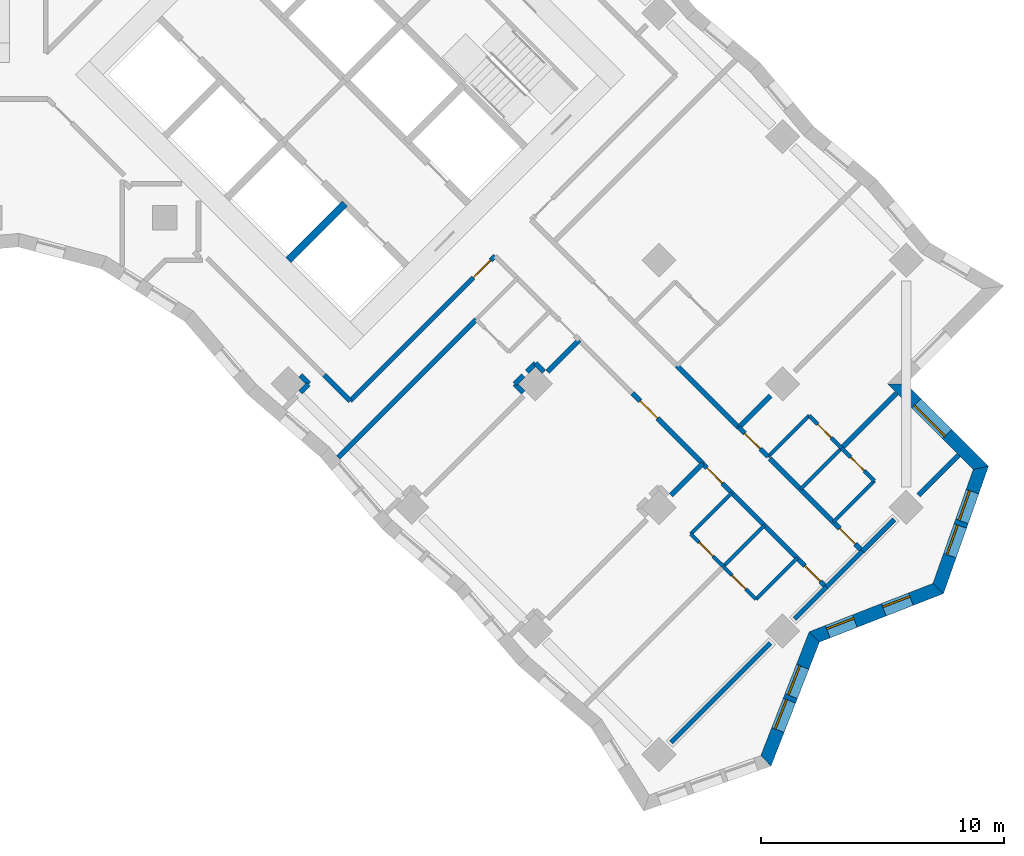
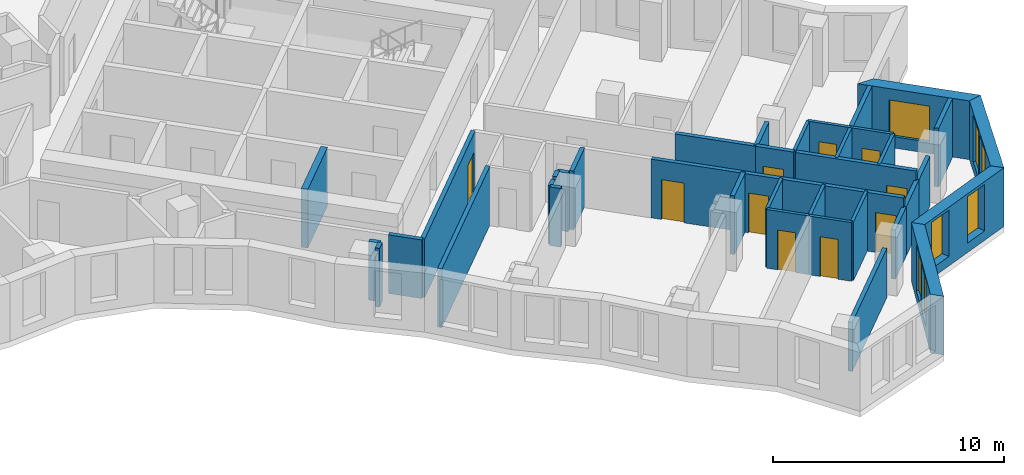
# One storey, part 8 of 12: 38 walls, 10 doors, 7 windows, 17 openings.
"""IFC4 building model written with IfcOpenShell, lengths in metres."""

from ifc_helpers import new_model, si_unit, direction, frame, frame_2d, origin, place, context, subcontext, project, spatial, polyline, rectangle, outline, extrude, material, layer, layer_set, type_object, element, fill, save


model = new_model("IFC4")

# Units and contexts
model_context = context("Model", 3, precision=1e-05, world=origin(), true_north=direction((0.0, 1.0)))
body_context = subcontext(model_context, "Body", "Model", "MODEL_VIEW")
ifc_project = project(units=[si_unit("LENGTHUNIT", "METRE"), si_unit("AREAUNIT", "SQUARE_METRE"), si_unit("VOLUMEUNIT", "CUBIC_METRE"), si_unit("PLANEANGLEUNIT", "RADIAN"), si_unit("MASSUNIT", "GRAM", prefix="KILO")], contexts=[model_context])

# Site, building, storey
site_placement = place(None, origin())
site = spatial("IfcSite", under=ifc_project, at=site_placement, CompositionType="ELEMENT")
building_placement = place(site_placement, origin())
building = spatial("IfcBuilding", under=site, at=building_placement, Name="Windrow Commons", CompositionType="ELEMENT")
storey_placement = place(building_placement, frame((0.0, 0.0, 81.2)))
storey = spatial("IfcBuildingStorey", under=building, at=storey_placement, Name="L21", CompositionType="ELEMENT", Elevation=81.2)

# Wall, openings, windows
ifc_material_1 = material(Name="Brick masonry, red clay brick", Category="masonry")
ifc_layer_1 = layer(ifc_material_1, 0.55)
ifc_layer_set_1 = layer_set([ifc_layer_1], Name="Brick facade wall 550")
wall_type_1 = type_object("IfcWallType", Name="Brick facade wall 550", PredefinedType="SOLIDWALL", material=ifc_layer_set_1)
wall_1_placement = place(storey_placement, frame((103.9683, 20.8284, 0.0), z_axis=(0.0, 0.0, 1.0), x_axis=(0.3641399428, 0.9313442446, 0.0)))
wall_1 = element("IfcWall", 1, at=wall_1_placement, inside=storey, type_object=wall_type_1, Name="Brick facade wall L21 2", PredefinedType="SOLIDWALL", context=body_context, shape_type="SweptSolid", body=[
    extrude(outline(polyline([(-0.1258, -0.275), (5.3596, -0.275), (5.6004, 0.275), (0.1258, 0.275), (-0.1258, -0.275)])), origin(), (0.0, 0.0, 1.0), 3.1),
])
opening_1_placement = place(wall_1_placement, frame((1.3612, 0.0, 0.5)))
opening_1 = element("IfcOpeningElement", 2, at=opening_1_placement, cuts=wall_1, Name="Opening W1P", PredefinedType="OPENING", context=body_context, shape_type="SweptSolid", body=[
    extrude(rectangle(XDim=1.3, YDim=2.45, at=frame_2d((0.65, 1.225))), frame((0.0, 0.285, 0.0), z_axis=(0.0, -1.0, 0.0), x_axis=(1.0, 0.0, 0.0)), (0.0, 0.0, 1.0), 0.57),
])
opening_2_placement = place(wall_1_placement, frame((2.8612, 0.0, 0.5)))
opening_2 = element("IfcOpeningElement", 3, at=opening_2_placement, cuts=wall_1, Name="Opening W1P", PredefinedType="OPENING", context=body_context, shape_type="SweptSolid", body=[
    extrude(rectangle(XDim=1.3, YDim=2.45, at=frame_2d((0.65, 1.225))), frame((0.0, 0.285, 0.0), z_axis=(0.0, -1.0, 0.0), x_axis=(1.0, 0.0, 0.0)), (0.0, 0.0, 1.0), 0.57),
])
ifc_material_2 = material(Name="Clear float glass in anodised aluminium frame", Category="aluminium")
window_type_1 = type_object("IfcWindowType", Name="Window W1P pair 1300x2450", PartitioningType="SINGLE_PANEL", PredefinedType="WINDOW", material=ifc_material_2)
window_1_placement = place(opening_1_placement, origin())
window_1 = element("IfcWindow", 4, at=window_1_placement, inside=storey, type_object=window_type_1, Name="Window L21 2.1A", OverallHeight=2.45, OverallWidth=1.3, PartitioningType="SINGLE_PANEL", PredefinedType="WINDOW", context=body_context, shape_type="SweptSolid", body=[
    extrude(rectangle(XDim=1.3, YDim=2.45, at=frame_2d((0.65, 1.225))), frame((0.0, 0.155, 0.0), z_axis=(0.0, -1.0, 0.0), x_axis=(1.0, 0.0, 0.0)), (0.0, 0.0, 1.0), 0.06),
])
fill(opening_1, window_1)
window_2_placement = place(opening_2_placement, origin())
window_2 = element("IfcWindow", 5, at=window_2_placement, inside=storey, type_object=window_type_1, Name="Window L21 2.1B", OverallHeight=2.45, OverallWidth=1.3, PartitioningType="SINGLE_PANEL", PredefinedType="WINDOW", context=body_context, shape_type="SweptSolid", body=[
    extrude(rectangle(XDim=1.3, YDim=2.45, at=frame_2d((0.65, 1.225))), frame((0.0, 0.155, 0.0), z_axis=(0.0, -1.0, 0.0), x_axis=(1.0, 0.0, 0.0)), (0.0, 0.0, 1.0), 0.06),
])
fill(opening_2, window_2)

wall_2_placement = place(storey_placement, frame((105.9638, 25.9322, 0.0), z_axis=(0.0, 0.0, 1.0), x_axis=(0.9313442446, 0.3641399428, 0.0)))
wall_2 = element("IfcWall", 6, at=wall_2_placement, inside=storey, type_object=wall_type_1, Name="Brick facade wall L21 3", PredefinedType="SOLIDWALL", context=body_context, shape_type="SweptSolid", body=[
    extrude(outline(polyline([(0.1204, -0.275), (5.6059, -0.275), (5.3542, 0.275), (-0.1204, 0.275), (0.1204, -0.275)])), origin(), (0.0, 0.0, 1.0), 3.1),
])
opening_3_placement = place(wall_2_placement, frame((0.5931, 0.0, 0.5)))
opening_3 = element("IfcOpeningElement", 7, at=opening_3_placement, cuts=wall_2, Name="Opening W7D", PredefinedType="OPENING", context=body_context, shape_type="SweptSolid", body=[
    extrude(rectangle(XDim=1.2, YDim=2.45, at=frame_2d((0.6, 1.225))), frame((0.0, 0.285, 0.0), z_axis=(0.0, -1.0, 0.0), x_axis=(1.0, 0.0, 0.0)), (0.0, 0.0, 1.0), 0.57),
])
opening_4_placement = place(wall_2_placement, frame((3.0702, 0.0, 0.5)))
opening_4 = element("IfcOpeningElement", 8, at=opening_4_placement, cuts=wall_2, Name="Opening W7D", PredefinedType="OPENING", context=body_context, shape_type="SweptSolid", body=[
    extrude(rectangle(XDim=1.2, YDim=2.45, at=frame_2d((0.6, 1.225))), frame((0.0, 0.285, 0.0), z_axis=(0.0, -1.0, 0.0), x_axis=(1.0, 0.0, 0.0)), (0.0, 0.0, 1.0), 0.57),
])
ifc_material_3 = material(Name="Clear float glass in anodised aluminium frame", Category="aluminium")
window_type_2 = type_object("IfcWindowType", Name="Window W7 notch 1200x2450", PartitioningType="SINGLE_PANEL", PredefinedType="WINDOW", material=ifc_material_3)
window_3_placement = place(opening_3_placement, origin())
window_3 = element("IfcWindow", 9, at=window_3_placement, inside=storey, type_object=window_type_2, Name="Window L21 3.1", OverallHeight=2.45, OverallWidth=1.2, PartitioningType="SINGLE_PANEL", PredefinedType="WINDOW", context=body_context, shape_type="SweptSolid", body=[
    extrude(rectangle(XDim=1.2, YDim=2.45, at=frame_2d((0.6, 1.225))), frame((0.0, 0.155, 0.0), z_axis=(0.0, -1.0, 0.0), x_axis=(1.0, 0.0, 0.0)), (0.0, 0.0, 1.0), 0.06),
])
fill(opening_3, window_3)
window_4_placement = place(opening_4_placement, origin())
window_4 = element("IfcWindow", 10, at=window_4_placement, inside=storey, type_object=window_type_2, Name="Window L21 3.2", OverallHeight=2.45, OverallWidth=1.2, PartitioningType="SINGLE_PANEL", PredefinedType="WINDOW", context=body_context, shape_type="SweptSolid", body=[
    extrude(rectangle(XDim=1.2, YDim=2.45, at=frame_2d((0.6, 1.225))), frame((0.0, 0.155, 0.0), z_axis=(0.0, -1.0, 0.0), x_axis=(1.0, 0.0, 0.0)), (0.0, 0.0, 1.0), 0.06),
])
fill(opening_4, window_4)

wall_3_placement = place(storey_placement, frame((111.0676, 27.9277, 0.0), z_axis=(0.0, 0.0, 1.0), x_axis=(0.3333124239, 0.9428164339, 0.0)))
wall_3 = element("IfcWall", 11, at=wall_3_placement, inside=storey, type_object=wall_type_1, Name="Brick facade wall L21 4", PredefinedType="SOLIDWALL", context=body_context, shape_type="SweptSolid", body=[
    extrude(outline(polyline([(-0.1258, -0.275), (5.4429, -0.275), (5.096, 0.275), (0.1258, 0.275), (-0.1258, -0.275)])), origin(), (0.0, 0.0, 1.0), 3.1),
])
opening_5_placement = place(wall_3_placement, frame((1.4343, 0.0, 0.5)))
opening_5 = element("IfcOpeningElement", 12, at=opening_5_placement, cuts=wall_3, Name="Opening W1P", PredefinedType="OPENING", context=body_context, shape_type="SweptSolid", body=[
    extrude(rectangle(XDim=1.3, YDim=2.45, at=frame_2d((0.65, 1.225))), frame((0.0, 0.285, 0.0), z_axis=(0.0, -1.0, 0.0), x_axis=(1.0, 0.0, 0.0)), (0.0, 0.0, 1.0), 0.57),
])
opening_6_placement = place(wall_3_placement, frame((2.9343, 0.0, 0.5)))
opening_6 = element("IfcOpeningElement", 13, at=opening_6_placement, cuts=wall_3, Name="Opening W1P", PredefinedType="OPENING", context=body_context, shape_type="SweptSolid", body=[
    extrude(rectangle(XDim=1.3, YDim=2.45, at=frame_2d((0.65, 1.225))), frame((0.0, 0.285, 0.0), z_axis=(0.0, -1.0, 0.0), x_axis=(1.0, 0.0, 0.0)), (0.0, 0.0, 1.0), 0.57),
])
window_5_placement = place(opening_5_placement, origin())
window_5 = element("IfcWindow", 14, at=window_5_placement, inside=storey, type_object=window_type_1, Name="Window L21 4.1A", OverallHeight=2.45, OverallWidth=1.3, PartitioningType="SINGLE_PANEL", PredefinedType="WINDOW", context=body_context, shape_type="SweptSolid", body=[
    extrude(rectangle(XDim=1.3, YDim=2.45, at=frame_2d((0.65, 1.225))), frame((0.0, 0.155, 0.0), z_axis=(0.0, -1.0, 0.0), x_axis=(1.0, 0.0, 0.0)), (0.0, 0.0, 1.0), 0.06),
])
fill(opening_5, window_5)
window_6_placement = place(opening_6_placement, origin())
window_6 = element("IfcWindow", 15, at=window_6_placement, inside=storey, type_object=window_type_1, Name="Window L21 4.1B", OverallHeight=2.45, OverallWidth=1.3, PartitioningType="SINGLE_PANEL", PredefinedType="WINDOW", context=body_context, shape_type="SweptSolid", body=[
    extrude(rectangle(XDim=1.3, YDim=2.45, at=frame_2d((0.65, 1.225))), frame((0.0, 0.155, 0.0), z_axis=(0.0, -1.0, 0.0), x_axis=(1.0, 0.0, 0.0)), (0.0, 0.0, 1.0), 0.06),
])
fill(opening_6, window_6)

# Wall, opening, window
wall_4_placement = place(storey_placement, frame((112.824, 32.8959, 0.0), z_axis=(0.0, 0.0, 1.0), x_axis=(-0.7071067812, 0.7071067812, 0.0)))
wall_4 = element("IfcWall", 16, at=wall_4_placement, inside=storey, type_object=wall_type_1, Name="Brick facade wall L21 5", PredefinedType="SOLIDWALL", context=body_context, shape_type="SweptSolid", body=[
    extrude(outline(polyline([(-0.1734, -0.275), (4.6266, -0.275), (5.1766, 0.275), (0.1734, 0.275), (-0.1734, -0.275)])), origin(), (0.0, 0.0, 1.0), 3.1),
])
opening_7_placement = place(wall_4_placement, frame((1.9641, 0.0, 0.6)))
opening_7 = element("IfcOpeningElement", 17, at=opening_7_placement, cuts=wall_4, Name="Opening W1L", PredefinedType="OPENING", context=body_context, shape_type="SweptSolid", body=[
    extrude(rectangle(XDim=1.8, YDim=1.9, at=frame_2d((0.9, 0.95))), frame((0.0, 0.285, 0.0), z_axis=(0.0, -1.0, 0.0), x_axis=(1.0, 0.0, 0.0)), (0.0, 0.0, 1.0), 0.57),
])
ifc_material_4 = material(Name="Clear float glass in anodised aluminium frame", Category="aluminium")
window_type_3 = type_object("IfcWindowType", Name="Window W1L bedroom 1800x1900", PartitioningType="SINGLE_PANEL", PredefinedType="WINDOW", material=ifc_material_4)
window_7_placement = place(opening_7_placement, origin())
window_7 = element("IfcWindow", 18, at=window_7_placement, inside=storey, type_object=window_type_3, Name="Window L21 5.1", OverallHeight=1.9, OverallWidth=1.8, PartitioningType="SINGLE_PANEL", PredefinedType="WINDOW", context=body_context, shape_type="SweptSolid", body=[
    extrude(rectangle(XDim=1.8, YDim=1.9, at=frame_2d((0.9, 0.95))), frame((0.0, 0.155, 0.0), z_axis=(0.0, -1.0, 0.0), x_axis=(1.0, 0.0, 0.0)), (0.0, 0.0, 1.0), 0.06),
])
fill(opening_7, window_7)

# Wall, opening, door
ifc_material_5 = material(Name="Blockwork partition", Category="masonry")
ifc_layer_2 = layer(ifc_material_5, 0.2)
ifc_layer_set_2 = layer_set([ifc_layer_2], Name="IW-CORRIDOR-200")
wall_type_2 = type_object("IfcWallType", Name="IW-CORRIDOR-200", PredefinedType="PARTITIONING", material=ifc_layer_set_2)
wall_5_placement = place(storey_placement, frame((86.8352, 35.6548, 0.0), z_axis=(0.0, 0.0, 1.0), x_axis=(0.7071067812, 0.7071067812, 0.0)))
wall_5 = element("IfcWall", 19, at=wall_5_placement, inside=storey, type_object=wall_type_2, Name="W-L21-W009", PredefinedType="PARTITIONING", context=body_context, shape_type="SweptSolid", body=[
    extrude(rectangle(XDim=8.4513, YDim=0.2, at=frame_2d((4.2256, 0.0))), origin(), (0.0, 0.0, 1.0), 3.1),
])
opening_8_placement = place(wall_5_placement, frame((7.1918, 0.0, 0.0)))
opening_8 = element("IfcOpeningElement", 20, at=opening_8_placement, cuts=wall_5, Name="Opening D310F", PredefinedType="OPENING", context=body_context, shape_type="SweptSolid", body=[
    extrude(rectangle(XDim=1.0, YDim=2.1, at=frame_2d((0.5, 1.05))), frame((0.0, 0.11, 0.0), z_axis=(0.0, -1.0, 0.0), x_axis=(1.0, 0.0, 0.0)), (0.0, 0.0, 1.0), 0.22),
])
ifc_material_6 = material(Name="Timber door leaf", Category="wood")
door_type_1 = type_object("IfcDoorType", Name="DT-AMENITY-1000", OperationType="SINGLE_SWING_LEFT", PredefinedType="DOOR", material=ifc_material_6)
door_1_placement = place(opening_8_placement, origin())
door_1 = element("IfcDoor", 21, at=door_1_placement, inside=storey, type_object=door_type_1, Name="D-L21-D047", OperationType="SINGLE_SWING_RIGHT", OverallHeight=2.1, OverallWidth=1.0, PredefinedType="DOOR", context=body_context, shape_type="SweptSolid", body=[
    extrude(rectangle(XDim=1.0, YDim=2.1, at=frame_2d((0.5, 1.05))), frame((0.0, 0.025, 0.0), z_axis=(0.0, -1.0, 0.0), x_axis=(1.0, 0.0, 0.0)), (0.0, 0.0, 1.0), 0.05),
])
fill(opening_8, door_1)

# Wall, openings, doors
wall_6_placement = place(storey_placement, frame((101.3646, 33.0706, 0.0), z_axis=(0.0, 0.0, 1.0), x_axis=(0.7071067812, -0.7071067812, 0.0)))
wall_6 = element("IfcWall", 22, at=wall_6_placement, inside=storey, type_object=wall_type_2, Name="W-L21-W021", PredefinedType="PARTITIONING", context=body_context, shape_type="SweptSolid", body=[
    extrude(rectangle(XDim=7.1998, YDim=0.2, at=frame_2d((3.5999, 0.0))), origin(), (0.0, 0.0, 1.0), 3.1),
])
opening_9_placement = place(wall_6_placement, frame((0.2484, 0.0, 0.0)))
opening_9 = element("IfcOpeningElement", 23, at=opening_9_placement, cuts=wall_6, Name="Opening D109S", PredefinedType="OPENING", context=body_context, shape_type="SweptSolid", body=[
    extrude(rectangle(XDim=0.9, YDim=2.1, at=frame_2d((0.45, 1.05))), frame((0.0, 0.11, 0.0), z_axis=(0.0, -1.0, 0.0), x_axis=(1.0, 0.0, 0.0)), (0.0, 0.0, 1.0), 0.22),
])
opening_10_placement = place(wall_6_placement, frame((5.95, 0.0, 0.0)))
opening_10 = element("IfcOpeningElement", 24, at=opening_10_placement, cuts=wall_6, Name="Opening D109S", PredefinedType="OPENING", context=body_context, shape_type="SweptSolid", body=[
    extrude(rectangle(XDim=0.9, YDim=2.1, at=frame_2d((0.45, 1.05))), frame((0.0, 0.11, 0.0), z_axis=(0.0, -1.0, 0.0), x_axis=(1.0, 0.0, 0.0)), (0.0, 0.0, 1.0), 0.22),
])
ifc_material_7 = material(Name="Timber door leaf", Category="wood")
door_type_2 = type_object("IfcDoorType", Name="DT-BEDROOM-900", OperationType="SINGLE_SWING_LEFT", PredefinedType="DOOR", material=ifc_material_7)
door_2_placement = place(opening_9_placement, origin())
door_2 = element("IfcDoor", 25, at=door_2_placement, inside=storey, type_object=door_type_2, Name="D-L21-D051", OperationType="SINGLE_SWING_RIGHT", OverallHeight=2.1, OverallWidth=0.9, PredefinedType="DOOR", context=body_context, shape_type="SweptSolid", body=[
    extrude(rectangle(XDim=0.9, YDim=2.1, at=frame_2d((0.45, 1.05))), frame((0.0, 0.025, 0.0), z_axis=(0.0, -1.0, 0.0), x_axis=(1.0, 0.0, 0.0)), (0.0, 0.0, 1.0), 0.05),
])
fill(opening_9, door_2)
door_3_placement = place(opening_10_placement, origin())
door_3 = element("IfcDoor", 26, at=door_3_placement, inside=storey, type_object=door_type_2, Name="D-L21-D053", OperationType="SINGLE_SWING_LEFT", OverallHeight=2.1, OverallWidth=0.9, PredefinedType="DOOR", context=body_context, shape_type="SweptSolid", body=[
    extrude(rectangle(XDim=0.9, YDim=2.1, at=frame_2d((0.45, 1.05))), frame((0.0, 0.025, 0.0), z_axis=(0.0, -1.0, 0.0), x_axis=(1.0, 0.0, 0.0)), (0.0, 0.0, 1.0), 0.05),
])
fill(opening_10, door_3)

# Wall, opening, door
wall_7_placement = place(storey_placement, frame((104.1225, 33.2825, 0.0), z_axis=(0.0, 0.0, 1.0), x_axis=(0.7071067812, -0.7071067812, 0.0)))
wall_7 = element("IfcWall", 27, at=wall_7_placement, inside=storey, type_object=wall_type_2, Name="W-L21-W035", PredefinedType="PARTITIONING", context=body_context, shape_type="SweptSolid", body=[
    extrude(rectangle(XDim=5.3995, YDim=0.2, at=frame_2d((2.6997, 0.0))), origin(), (0.0, 0.0, 1.0), 3.1),
])
opening_11_placement = place(wall_7_placement, frame((4.0797, 0.0, 0.0)))
opening_11 = element("IfcOpeningElement", 28, at=opening_11_placement, cuts=wall_7, Name="Opening D109S", PredefinedType="OPENING", context=body_context, shape_type="SweptSolid", body=[
    extrude(rectangle(XDim=0.9, YDim=2.1, at=frame_2d((0.45, 1.05))), frame((0.0, 0.11, 0.0), z_axis=(0.0, -1.0, 0.0), x_axis=(1.0, 0.0, 0.0)), (0.0, 0.0, 1.0), 0.22),
])
door_4_placement = place(opening_11_placement, origin())
door_4 = element("IfcDoor", 29, at=door_4_placement, inside=storey, type_object=door_type_2, Name="D-L21-D055", OperationType="SINGLE_SWING_RIGHT", OverallHeight=2.1, OverallWidth=0.9, PredefinedType="DOOR", context=body_context, shape_type="SweptSolid", body=[
    extrude(rectangle(XDim=0.9, YDim=2.1, at=frame_2d((0.45, 1.05))), frame((0.0, 0.025, 0.0), z_axis=(0.0, -1.0, 0.0), x_axis=(1.0, 0.0, 0.0)), (0.0, 0.0, 1.0), 0.05),
])
fill(opening_11, door_4)

wall_8_placement = place(storey_placement, frame((98.4693, 35.9733, 0.0), z_axis=(0.0, 0.0, 1.0), x_axis=(0.7073506531, -0.7068628251, 0.0)))
wall_8 = element("IfcWall", 30, at=wall_8_placement, inside=storey, type_object=wall_type_2, Name="W-L21-W050", PredefinedType="PARTITIONING", context=body_context, shape_type="SweptSolid", body=[
    extrude(rectangle(XDim=4.0998, YDim=0.2, at=frame_2d((2.0499, 0.0))), origin(), (0.0, 0.0, 1.0), 3.1),
])
opening_12_placement = place(wall_8_placement, frame((0.4573, 0.0, 0.0)))
opening_12 = element("IfcOpeningElement", 31, at=opening_12_placement, cuts=wall_8, Name="Opening D310F", PredefinedType="OPENING", context=body_context, shape_type="SweptSolid", body=[
    extrude(rectangle(XDim=1.0, YDim=2.1, at=frame_2d((0.5, 1.05))), frame((0.0, 0.11, 0.0), z_axis=(0.0, -1.0, 0.0), x_axis=(1.0, 0.0, 0.0)), (0.0, 0.0, 1.0), 0.22),
])
door_5_placement = place(opening_12_placement, origin())
door_5 = element("IfcDoor", 32, at=door_5_placement, inside=storey, type_object=door_type_1, Name="D-L21-D050", OperationType="SINGLE_SWING_RIGHT", OverallHeight=2.1, OverallWidth=1.0, PredefinedType="DOOR", context=body_context, shape_type="SweptSolid", body=[
    extrude(rectangle(XDim=1.0, YDim=2.1, at=frame_2d((0.5, 1.05))), frame((0.0, 0.025, 0.0), z_axis=(0.0, -1.0, 0.0), x_axis=(1.0, 0.0, 0.0)), (0.0, 0.0, 1.0), 0.05),
])
fill(opening_12, door_5)

# Walls
wall_9_placement = place(storey_placement, frame((100.3098, 37.1058, 0.0), z_axis=(0.0, 0.0, 1.0), x_axis=(0.7073845681, -0.7068288851, 0.0)))
element("IfcWall", 33, at=wall_9_placement, inside=storey, type_object=wall_type_2, Name="W-L21-W058", PredefinedType="PARTITIONING", context=body_context, shape_type="SweptSolid", body=[
    extrude(rectangle(XDim=3.5992, YDim=0.2, at=frame_2d((1.7996, 0.0))), origin(), (0.0, 0.0, 1.0), 3.1),
])
wall_10_placement = place(storey_placement, frame((106.4574, 27.9826, 0.0), z_axis=(0.0, 0.0, 1.0), x_axis=(0.7071067812, 0.7071067812, 0.0)))
element("IfcWall", 34, at=wall_10_placement, inside=storey, type_object=wall_type_2, Name="W-L21-W101", PredefinedType="PARTITIONING", context=body_context, shape_type="SweptSolid", body=[
    extrude(rectangle(XDim=2.1015, YDim=0.2, at=frame_2d((1.0508, 0.0))), origin(), (0.0, 0.0, 1.0), 2.6),
])

# Wall, opening, door
wall_11_placement = place(storey_placement, frame((102.8566, 34.5626, 0.0), z_axis=(0.0, 0.0, 1.0), x_axis=(0.7071067812, -0.7071067812, 0.0)))
wall_11 = element("IfcWall", 35, at=wall_11_placement, inside=storey, type_object=wall_type_2, Name="W-L21-W140", PredefinedType="PARTITIONING", context=body_context, shape_type="SweptSolid", body=[
    extrude(rectangle(XDim=1.6999, YDim=0.2, at=frame_2d((0.8499, 0.0))), origin(), (0.0, 0.0, 1.0), 3.1),
])
opening_13_placement = place(wall_11_placement, frame((0.35, 0.0, 0.0)))
opening_13 = element("IfcOpeningElement", 36, at=opening_13_placement, cuts=wall_11, Name="Opening D109S", PredefinedType="OPENING", context=body_context, shape_type="SweptSolid", body=[
    extrude(rectangle(XDim=0.9, YDim=2.1, at=frame_2d((0.45, 1.05))), frame((0.0, 0.11, 0.0), z_axis=(0.0, -1.0, 0.0), x_axis=(1.0, 0.0, 0.0)), (0.0, 0.0, 1.0), 0.22),
])
door_6_placement = place(opening_13_placement, origin())
door_6 = element("IfcDoor", 37, at=door_6_placement, inside=storey, type_object=door_type_2, Name="D-L21-D045", OperationType="SINGLE_SWING_LEFT", OverallHeight=2.1, OverallWidth=0.9, PredefinedType="DOOR", context=body_context, shape_type="SweptSolid", body=[
    extrude(rectangle(XDim=0.9, YDim=2.1, at=frame_2d((0.45, 1.05))), frame((0.0, 0.025, 0.0), z_axis=(0.0, -1.0, 0.0), x_axis=(1.0, 0.0, 0.0)), (0.0, 0.0, 1.0), 0.05),
])
fill(opening_13, door_6)

# Walls
wall_12_placement = place(storey_placement, frame((85.7777, 36.7177, 0.0), z_axis=(0.0, 0.0, 1.0), x_axis=(0.7064400143, -0.70777292, 0.0)))
element("IfcWall", 38, at=wall_12_placement, inside=storey, type_object=wall_type_2, Name="W-L21-W145", PredefinedType="PARTITIONING", context=body_context, shape_type="SweptSolid", body=[
    extrude(rectangle(XDim=1.5005, YDim=0.2, at=frame_2d((0.7502, 0.0))), origin(), (0.0, 0.0, 1.0), 3.1),
])
ifc_material_8 = material(Name="Blockwork partition", Category="masonry")
ifc_layer_3 = layer(ifc_material_8, 0.15)
ifc_layer_set_3 = layer_set([ifc_layer_3], Name="IW-ENSUITE-150")
wall_type_3 = type_object("IfcWallType", Name="IW-ENSUITE-150", PredefinedType="PARTITIONING", material=ifc_layer_set_3)
wall_13_placement = place(storey_placement, frame((100.8713, 30.1747, 0.0), z_axis=(0.0, 0.0, 1.0), x_axis=(0.7071067812, 0.7071067812, 0.0)))
element("IfcWall", 39, at=wall_13_placement, inside=storey, type_object=wall_type_3, Name="W-L21-W070", PredefinedType="PARTITIONING", context=body_context, shape_type="SweptSolid", body=[
    extrude(rectangle(XDim=2.4013, YDim=0.15, at=frame_2d((1.2006, 0.0))), origin(), (0.0, 0.0, 1.0), 3.1),
])
wall_14_placement = place(storey_placement, frame((105.3958, 32.0162, 0.0), z_axis=(0.0, 0.0, 1.0), x_axis=(0.7075233388, 0.706689978, 0.0)))
element("IfcWall", 40, at=wall_14_placement, inside=storey, type_object=wall_type_3, Name="W-L21-W095", PredefinedType="PARTITIONING", context=body_context, shape_type="SweptSolid", body=[
    extrude(rectangle(XDim=2.3999, YDim=0.15, at=frame_2d((1.2, 0.0))), origin(), (0.0, 0.0, 1.0), 3.1),
])
for number, where, z_axis, x_axis, name in (
    (41, (102.2158, 28.8322, 0.0), (0.0, 0.0, 1.0), (0.7071067812, 0.7071067812, 0.0), "W-L21-W096"),
    (42, (104.0553, 33.3587, 0.0), (0.0, 0.0, 1.0), (0.7071067812, 0.7071067812, 0.0), "W-L21-W097"),
    (43, (103.5593, 27.4887, 0.0), (0.0, 0.0, 1.0), (0.7071067812, 0.7071067812, 0.0), "W-L21-W098"),
    (44, (106.7413, 30.6707, 0.0), (0.0, 0.0, 1.0), (0.7071067812, 0.7071067812, 0.0), "W-L21-W099"),
):
    element("IfcWall", number, at=place(storey_placement, frame(where, z_axis=z_axis, x_axis=x_axis)), inside=storey, type_object=wall_type_3, Name=name, PredefinedType="PARTITIONING", context=body_context, shape_type="SweptSolid", body=[
        extrude(rectangle(XDim=2.3985, YDim=0.15, at=frame_2d((1.1992, 0.0))), origin(), (0.0, 0.0, 1.0), 3.1),
    ])

# Wall, opening, door
wall_15_placement = place(storey_placement, frame((105.7486, 35.0506, 0.0), z_axis=(0.0, 0.0, 1.0), x_axis=(0.7071067812, -0.7071067812, 0.0)))
wall_15 = element("IfcWall", 45, at=wall_15_placement, inside=storey, type_object=wall_type_3, Name="W-L21-W123", PredefinedType="PARTITIONING", context=body_context, shape_type="SweptSolid", body=[
    extrude(rectangle(XDim=1.9007, YDim=0.15, at=frame_2d((0.9504, 0.0))), origin(), (0.0, 0.0, 1.0), 3.1),
])
opening_14_placement = place(wall_15_placement, frame((0.4932, 0.0, 0.0)))
opening_14 = element("IfcOpeningElement", 46, at=opening_14_placement, cuts=wall_15, Name="Opening D208N", PredefinedType="OPENING", context=body_context, shape_type="SweptSolid", body=[
    extrude(rectangle(XDim=0.8, YDim=2.1, at=frame_2d((0.4, 1.05))), frame((0.0, 0.085, 0.0), z_axis=(0.0, -1.0, 0.0), x_axis=(1.0, 0.0, 0.0)), (0.0, 0.0, 1.0), 0.17),
])
ifc_material_9 = material(Name="Timber door leaf", Category="wood")
door_type_3 = type_object("IfcDoorType", Name="DT-ENSUITE-800", OperationType="SINGLE_SWING_LEFT", PredefinedType="DOOR", material=ifc_material_9)
door_7_placement = place(opening_14_placement, origin())
door_7 = element("IfcDoor", 47, at=door_7_placement, inside=storey, type_object=door_type_3, Name="D-L21-D046", OperationType="SINGLE_SWING_RIGHT", OverallHeight=2.1, OverallWidth=0.8, PredefinedType="DOOR", context=body_context, shape_type="SweptSolid", body=[
    extrude(rectangle(XDim=0.8, YDim=2.1, at=frame_2d((0.4, 1.05))), frame((0.0, 0.025, 0.0), z_axis=(0.0, -1.0, 0.0), x_axis=(1.0, 0.0, 0.0)), (0.0, 0.0, 1.0), 0.05),
])
fill(opening_14, door_7)

wall_16_placement = place(storey_placement, frame((100.8746, 30.1766, 0.0), z_axis=(0.0, 0.0, 1.0), x_axis=(0.7076330979, -0.7065800724, 0.0)))
wall_16 = element("IfcWall", 48, at=wall_16_placement, inside=storey, type_object=wall_type_3, Name="W-L21-W131", PredefinedType="PARTITIONING", context=body_context, shape_type="SweptSolid", body=[
    extrude(rectangle(XDim=1.8993, YDim=0.15, at=frame_2d((0.9496, 0.0))), origin(), (0.0, 0.0, 1.0), 3.1),
])
opening_15_placement = place(wall_16_placement, frame((0.4932, 0.0, 0.0)))
opening_15 = element("IfcOpeningElement", 49, at=opening_15_placement, cuts=wall_16, Name="Opening D208N", PredefinedType="OPENING", context=body_context, shape_type="SweptSolid", body=[
    extrude(rectangle(XDim=0.8, YDim=2.1, at=frame_2d((0.4, 1.05))), frame((0.0, 0.085, 0.0), z_axis=(0.0, -1.0, 0.0), x_axis=(1.0, 0.0, 0.0)), (0.0, 0.0, 1.0), 0.17),
])
door_8_placement = place(opening_15_placement, origin())
door_8 = element("IfcDoor", 50, at=door_8_placement, inside=storey, type_object=door_type_3, Name="D-L21-D052", OperationType="SINGLE_SWING_RIGHT", OverallHeight=2.1, OverallWidth=0.8, PredefinedType="DOOR", context=body_context, shape_type="SweptSolid", body=[
    extrude(rectangle(XDim=0.8, YDim=2.1, at=frame_2d((0.4, 1.05))), frame((0.0, 0.025, 0.0), z_axis=(0.0, -1.0, 0.0), x_axis=(1.0, 0.0, 0.0)), (0.0, 0.0, 1.0), 0.05),
])
fill(opening_15, door_8)

wall_17_placement = place(storey_placement, frame((107.0935, 33.7075, 0.0), z_axis=(0.0, 0.0, 1.0), x_axis=(0.7065800724, -0.7076330979, 0.0)))
wall_17 = element("IfcWall", 51, at=wall_17_placement, inside=storey, type_object=wall_type_3, Name="W-L21-W132", PredefinedType="PARTITIONING", context=body_context, shape_type="SweptSolid", body=[
    extrude(rectangle(XDim=1.8993, YDim=0.15, at=frame_2d((0.9496, 0.0))), origin(), (0.0, 0.0, 1.0), 3.1),
])
opening_16_placement = place(wall_17_placement, frame((0.5187, 0.0, 0.0)))
opening_16 = element("IfcOpeningElement", 52, at=opening_16_placement, cuts=wall_17, Name="Opening D208N", PredefinedType="OPENING", context=body_context, shape_type="SweptSolid", body=[
    extrude(rectangle(XDim=0.8, YDim=2.1, at=frame_2d((0.4, 1.05))), frame((0.0, 0.085, 0.0), z_axis=(0.0, -1.0, 0.0), x_axis=(1.0, 0.0, 0.0)), (0.0, 0.0, 1.0), 0.17),
])
door_9_placement = place(opening_16_placement, origin())
door_9 = element("IfcDoor", 53, at=door_9_placement, inside=storey, type_object=door_type_3, Name="D-L21-D056", OperationType="SINGLE_SWING_RIGHT", OverallHeight=2.1, OverallWidth=0.8, PredefinedType="DOOR", context=body_context, shape_type="SweptSolid", body=[
    extrude(rectangle(XDim=0.8, YDim=2.1, at=frame_2d((0.4, 1.05))), frame((0.0, 0.025, 0.0), z_axis=(0.0, -1.0, 0.0), x_axis=(1.0, 0.0, 0.0)), (0.0, 0.0, 1.0), 0.05),
])
fill(opening_16, door_9)

wall_18_placement = place(storey_placement, frame((102.2145, 28.8265, 0.0), z_axis=(0.0, 0.0, 1.0), x_axis=(0.7071067812, -0.7071067812, 0.0)))
wall_18 = element("IfcWall", 54, at=wall_18_placement, inside=storey, type_object=wall_type_3, Name="W-L21-W133", PredefinedType="PARTITIONING", context=body_context, shape_type="SweptSolid", body=[
    extrude(rectangle(XDim=1.8979, YDim=0.15, at=frame_2d((0.9489, 0.0))), origin(), (0.0, 0.0, 1.0), 3.1),
])
opening_17_placement = place(wall_18_placement, frame((0.5001, 0.0, 0.0)))
opening_17 = element("IfcOpeningElement", 55, at=opening_17_placement, cuts=wall_18, Name="Opening D208N", PredefinedType="OPENING", context=body_context, shape_type="SweptSolid", body=[
    extrude(rectangle(XDim=0.8, YDim=2.1, at=frame_2d((0.4, 1.05))), frame((0.0, 0.085, 0.0), z_axis=(0.0, -1.0, 0.0), x_axis=(1.0, 0.0, 0.0)), (0.0, 0.0, 1.0), 0.17),
])
door_10_placement = place(opening_17_placement, origin())
door_10 = element("IfcDoor", 56, at=door_10_placement, inside=storey, type_object=door_type_3, Name="D-L21-D054", OperationType="SINGLE_SWING_RIGHT", OverallHeight=2.1, OverallWidth=0.8, PredefinedType="DOOR", context=body_context, shape_type="SweptSolid", body=[
    extrude(rectangle(XDim=0.8, YDim=2.1, at=frame_2d((0.4, 1.05))), frame((0.0, 0.025, 0.0), z_axis=(0.0, -1.0, 0.0), x_axis=(1.0, 0.0, 0.0)), (0.0, 0.0, 1.0), 0.05),
])
fill(opening_17, door_10)

# Walls
ifc_material_10 = material(Name="Blockwork partition", Category="masonry")
ifc_layer_4 = layer(ifc_material_10, 0.2)
ifc_layer_set_4 = layer_set([ifc_layer_4], Name="IW-PARTY-200")
wall_type_4 = type_object("IfcWallType", Name="IW-PARTY-200", PredefinedType="PARTITIONING", material=ifc_layer_set_4)
wall_19_placement = place(storey_placement, frame((86.3511, 33.3253, 0.0), z_axis=(0.0, 0.0, 1.0), x_axis=(0.7069824066, 0.7072311339, 0.0)))
element("IfcWall", 57, at=wall_19_placement, inside=storey, type_object=wall_type_4, Name="W-L21-W018", PredefinedType="PARTITIONING", context=body_context, shape_type="SweptSolid", body=[
    extrude(rectangle(XDim=8.0409, YDim=0.2, at=frame_2d((4.0205, 0.0))), origin(), (0.0, 0.0, 1.0), 3.1),
])
wall_20_placement = place(storey_placement, frame((100.0634, 21.5886, 0.0), z_axis=(0.0, 0.0, 1.0), x_axis=(0.7071067812, 0.7071067812, 0.0)))
element("IfcWall", 58, at=wall_20_placement, inside=storey, type_object=wall_type_4, Name="W-L21-W031", PredefinedType="PARTITIONING", context=body_context, shape_type="SweptSolid", body=[
    extrude(rectangle(XDim=5.787, YDim=0.2, at=frame_2d((2.8935, 0.0))), origin(), (0.0, 0.0, 1.0), 2.6),
])
wall_21_placement = place(storey_placement, frame((107.0948, 33.7112, 0.0), z_axis=(0.0, 0.0, 1.0), x_axis=(0.7071067812, 0.7071067812, 0.0)))
element("IfcWall", 59, at=wall_21_placement, inside=storey, type_object=wall_type_4, Name="W-L21-W062", PredefinedType="PARTITIONING", context=body_context, shape_type="SweptSolid", body=[
    extrude(rectangle(XDim=3.1997, YDim=0.2, at=frame_2d((1.5998, 0.0))), origin(), (0.0, 0.0, 1.0), 3.1),
])
wall_22_placement = place(storey_placement, frame((110.2515, 31.7666, 0.0), z_axis=(0.0, 0.0, 1.0), x_axis=(0.7066584143, 0.7075548639, 0.0)))
element("IfcWall", 60, at=wall_22_placement, inside=storey, type_object=wall_type_4, Name="W-L21-W100", PredefinedType="PARTITIONING", context=body_context, shape_type="SweptSolid", body=[
    extrude(rectangle(XDim=2.3426, YDim=0.2, at=frame_2d((1.1713, 0.0))), origin(), (0.0, 0.0, 1.0), 3.1),
])
wall_23_placement = place(storey_placement, frame((100.0632, 31.7708, 0.0), z_axis=(0.0, 0.0, 1.0), x_axis=(0.7071067812, 0.7071067812, 0.0)))
element("IfcWall", 61, at=wall_23_placement, inside=storey, type_object=wall_type_4, Name="W-L21-W134", PredefinedType="PARTITIONING", context=body_context, shape_type="SweptSolid", body=[
    extrude(rectangle(XDim=1.8441, YDim=0.2, at=frame_2d((0.9221, 0.0))), origin(), (0.0, 0.0, 1.0), 3.1),
])
wall_24_placement = place(storey_placement, frame((107.9466, 29.4654, 0.0), z_axis=(0.0, 0.0, 1.0), x_axis=(0.7076492487, 0.7065638971, 0.0)))
element("IfcWall", 62, at=wall_24_placement, inside=storey, type_object=wall_type_4, Name="W-L21-W135", PredefinedType="PARTITIONING", context=body_context, shape_type="SweptSolid", body=[
    extrude(rectangle(XDim=1.8427, YDim=0.2, at=frame_2d((0.9214, 0.0))), origin(), (0.0, 0.0, 1.0), 2.6),
])
for number, where, z_axis, x_axis, name in (
    (63, (94.973, 36.863, 0.0), (0.0, 0.0, 1.0), (0.7071067812, 0.7071067812, 0.0), "W-L21-W136"),
    (64, (102.8532, 34.5608, 0.0), (0.0, 0.0, 1.0), (0.7071067812, 0.7071067812, 0.0), "W-L21-W137"),
):
    element("IfcWall", number, at=place(storey_placement, frame(where, z_axis=z_axis, x_axis=x_axis)), inside=storey, type_object=wall_type_4, Name=name, PredefinedType="PARTITIONING", context=body_context, shape_type="SweptSolid", body=[
        extrude(rectangle(XDim=1.8413, YDim=0.2, at=frame_2d((0.9206, 0.0))), origin(), (0.0, 0.0, 1.0), 3.1),
    ])
wall_25_placement = place(storey_placement, frame((105.1554, 26.6806, 0.0), z_axis=(0.0, 0.0, 1.0), x_axis=(0.7071067812, 0.7071067812, 0.0)))
element("IfcWall", 65, at=wall_25_placement, inside=storey, type_object=wall_type_4, Name="W-L21-W138", PredefinedType="PARTITIONING", context=body_context, shape_type="SweptSolid", body=[
    extrude(rectangle(XDim=1.8413, YDim=0.2, at=frame_2d((0.9206, 0.0))), origin(), (0.0, 0.0, 1.0), 2.6),
])
for number, where, z_axis, x_axis, name in (
    (66, (84.7916, 36.7176, 0.0), (0.0, 0.0, 1.0), (0.7071067812, -0.7071067812, 0.0), "W-L21-W163"),
    (67, (93.6208, 36.3592, 0.0), (0.0, 0.0, 1.0), (0.7071067812, 0.7071067812, 0.0), "W-L21-W165"),
):
    element("IfcWall", number, at=place(storey_placement, frame(where, z_axis=z_axis, x_axis=x_axis)), inside=storey, type_object=wall_type_4, Name=name, PredefinedType="PARTITIONING", context=body_context, shape_type="SweptSolid", body=[
        extrude(rectangle(XDim=0.4978, YDim=0.2, at=frame_2d((0.2489, 0.0))), origin(), (0.0, 0.0, 1.0), 3.1),
    ])
wall_26_placement = place(storey_placement, frame((84.7911, 36.0149, 0.0), z_axis=(0.0, 0.0, 1.0), x_axis=(0.7071067812, 0.7071067812, 0.0)))
element("IfcWall", 68, at=wall_26_placement, inside=storey, type_object=wall_type_4, Name="W-L21-W169", PredefinedType="PARTITIONING", context=body_context, shape_type="SweptSolid", body=[
    extrude(rectangle(XDim=0.4678, YDim=0.2, at=frame_2d((0.2339, 0.0))), origin(), (0.0, 0.0, 1.0), 3.1),
])
for number, where, z_axis, x_axis, name in (
    (69, (94.4778, 37.2138, 0.0), (0.0, 0.0, 1.0), (0.7071067812, -0.7071067812, 0.0), "W-L21-W170"),
    (70, (94.1248, 36.8632, 0.0), (0.0, 0.0, 1.0), (0.7071067812, 0.7071067812, 0.0), "W-L21-W172"),
    (71, (93.6222, 36.3582, 0.0), (0.0, 0.0, 1.0), (0.7071067812, -0.7071067812, 0.0), "W-L21-W174"),
):
    element("IfcWall", number, at=place(storey_placement, frame(where, z_axis=z_axis, x_axis=x_axis)), inside=storey, type_object=wall_type_4, Name=name, PredefinedType="PARTITIONING", context=body_context, shape_type="SweptSolid", body=[
        extrude(rectangle(XDim=0.4978, YDim=0.2, at=frame_2d((0.2489, 0.0))), origin(), (0.0, 0.0, 1.0), 3.1),
    ])
ifc_material_11 = material(Name="Concrete C50/60", Category="concrete")
ifc_layer_5 = layer(ifc_material_11, 0.3)
ifc_layer_set_5 = layer_set([ifc_layer_5], Name="RC SHAFT WALL 300 C50/60")
wall_type_5 = type_object("IfcWallType", Name="RC SHAFT WALL 300 C50/60", PredefinedType="SOLIDWALL", material=ifc_layer_set_5)
wall_27_placement = place(storey_placement, frame((84.2912, 41.453, 0.0), z_axis=(0.0, 0.0, 1.0), x_axis=(0.7071067812, 0.7071067812, 0.0)))
element("IfcWall", 72, at=wall_27_placement, inside=storey, type_object=wall_type_5, Name="Core B wall shaft-S3", PredefinedType="SOLIDWALL", context=body_context, shape_type="SweptSolid", body=[
    extrude(rectangle(XDim=3.2999, YDim=0.3, at=frame_2d((1.65, 0.0))), origin(), (0.0, 0.0, 1.0), 3.1),
])

save(model, "model.ifc")
